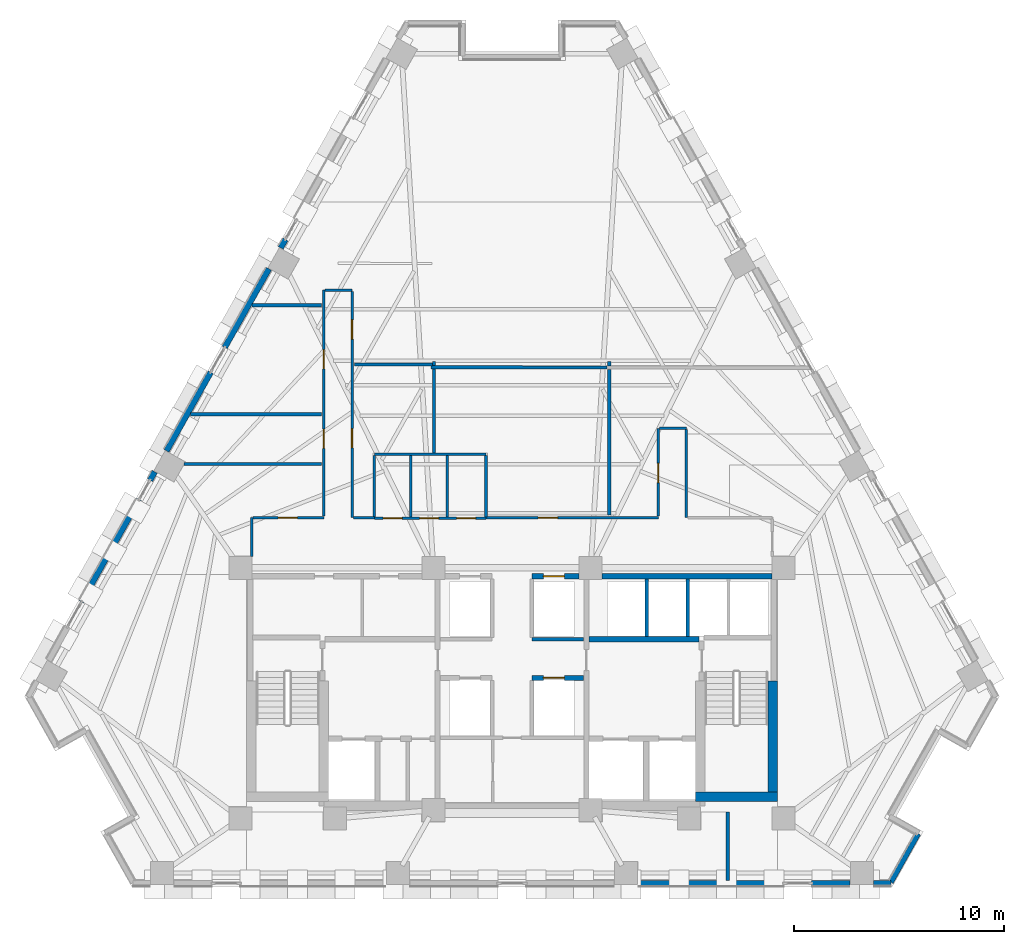
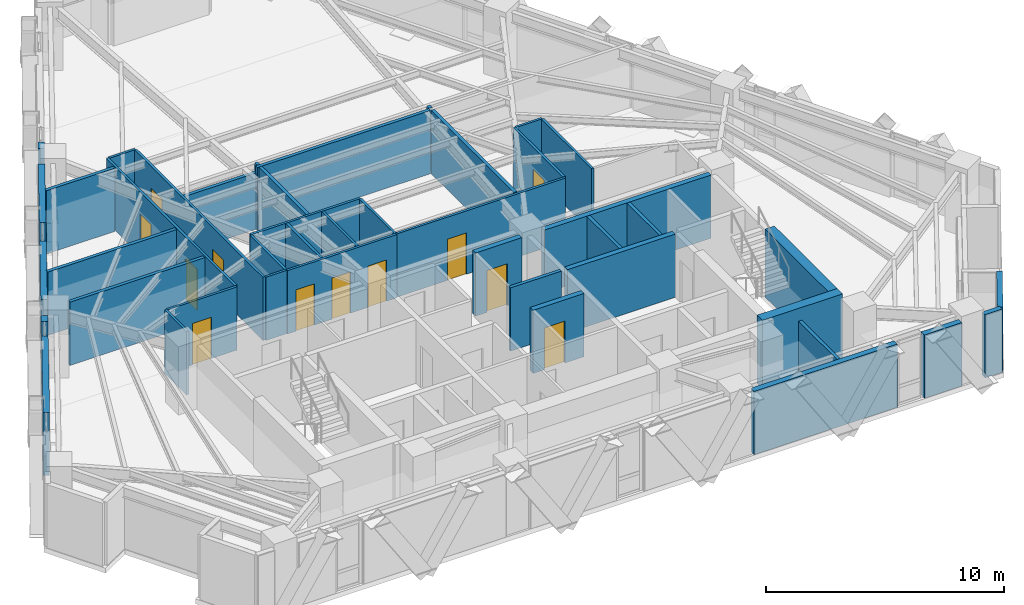
# One storey, part 8 of 13: 44 walls, 12 doors, 12 openings.
"""IFC4 building model written with IfcOpenShell, lengths in metres."""

import ifcopenshell
import ifcopenshell.guid

model = None  # the IFC model being written
_history = None  # IfcOwnerHistory: only IFC2X3 demands one
_inside = {}  # id of a spatial element -> (the spatial element, [elements in it])
_under = {}  # id of a project, library or spatial element -> (it, [spatial elements below it])
_declared = {}  # id of a project -> (the project, [libraries it declares])
_typed = {}  # id of a type object -> (the type object, [elements of that type])
_made_of = {}  # id of a material, layer set ... -> (it, [elements and type objects made of it])


def new_model(schema):
    """Start an empty IFC model of exactly this schema.

    Asked for "IFC4X3", IfcOpenShell would pick the latest addendum, in which some entities
    have other attributes; the version numbers below select the first issue.
    IFC2X3 requires an IfcOwnerHistory on every rooted entity: one is made here for all.
    """
    global model, _history
    if schema == "IFC4X3":
        model = ifcopenshell.file(schema_version=(4, 3, 0, 0))
    else:
        model = ifcopenshell.file(schema=schema)
    _inside.clear()
    _under.clear()
    _declared.clear()
    _typed.clear()
    _made_of.clear()
    _history = None
    if model.schema == "IFC2X3":
        org = make("IfcOrganization", Name="unknown")
        user = make(
            "IfcPersonAndOrganization",
            ThePerson=make("IfcPerson", FamilyName="unknown"),
            TheOrganization=org,
        )
        app = make(
            "IfcApplication",
            ApplicationDeveloper=org,
            Version="unknown",
            ApplicationFullName="unknown",
            ApplicationIdentifier="unknown",
        )
        _history = make(
            "IfcOwnerHistory",
            OwningUser=user,
            OwningApplication=app,
            ChangeAction="ADDED",
            CreationDate=0,
        )
    return model


def make(cls, **values):
    """One entity of the class cls with the attributes given. An attribute that is None is left unset."""
    return model.create_entity(
        cls, **{name: value for name, value in values.items() if value is not None}
    )


def rooted(cls, **values):
    """An entity with a GlobalId (a new one), such as an element, a storey or a relation."""
    return make(cls, GlobalId=ifcopenshell.guid.new(), OwnerHistory=_history, **values)


def si_unit(unit_type, name, prefix=None):
    """IfcSIUnit, for example si_unit("LENGTHUNIT", "METRE", prefix="MILLI")."""
    return make("IfcSIUnit", UnitType=unit_type, Prefix=prefix, Name=name)


def assignment(units):
    """IfcUnitAssignment: the units of a project."""
    return None if units is None else make("IfcUnitAssignment", Units=units)


def point(xyz):
    """IfcCartesianPoint."""
    return None if xyz is None else make("IfcCartesianPoint", Coordinates=xyz)


def direction(xyz):
    """IfcDirection."""
    return None if xyz is None else make("IfcDirection", DirectionRatios=xyz)


def frame(location, z_axis=None, x_axis=None):
    """IfcAxis2Placement3D, a coordinate frame: its origin and axes. An axis left out is left unset."""
    return make(
        "IfcAxis2Placement3D",
        Location=point(location),
        Axis=direction(z_axis),
        RefDirection=direction(x_axis),
    )


def frame_2d(location, x_axis=None):
    """IfcAxis2Placement2D, a coordinate frame in the plane: its origin and x axis."""
    return make(
        "IfcAxis2Placement2D", Location=point(location), RefDirection=direction(x_axis)
    )


def origin():
    """The frame at (0, 0, 0) with its axes left unset."""
    return frame((0.0, 0.0, 0.0))


def place(relative_to, where):
    """IfcLocalPlacement: puts the frame where relative to a parent placement (None: the world)."""
    return make(
        "IfcLocalPlacement", PlacementRelTo=relative_to, RelativePlacement=where
    )


def context(
    kind, dimensions, precision=None, world=None, true_north=None, identifier=None
):
    """IfcGeometricRepresentationContext, for example the 3D "Model" context."""
    return make(
        "IfcGeometricRepresentationContext",
        ContextIdentifier=identifier,
        ContextType=kind,
        CoordinateSpaceDimension=dimensions,
        Precision=precision,
        WorldCoordinateSystem=world,
        TrueNorth=true_north,
    )


def subcontext(parent, identifier, kind, view, scale=None):
    """IfcGeometricRepresentationSubContext, for example "Body" below "Model"."""
    return make(
        "IfcGeometricRepresentationSubContext",
        ContextIdentifier=identifier,
        ContextType=kind,
        ParentContext=parent,
        TargetScale=scale,
        TargetView=view,
    )


def project(units=None, contexts=None):
    """IfcProject with its units and contexts."""
    return rooted(
        "IfcProject",
        Name="project",
        RepresentationContexts=contexts,
        UnitsInContext=assignment(units),
    )


def spatial(cls, under=None, at=None, **own):
    """A site, building, storey or space (cls), placed at a placement, below another one or the project."""
    s = rooted(cls, ObjectPlacement=at, **own)
    if under is not None:
        _under.setdefault(under.id(), (under, []))[1].append(s)
    return s


def profile(cls, at=None, kind="AREA", **sizes):
    """A parametric profile (cls). Its sizes go by their IFC names, for example OverallWidth=200.0."""
    return make(cls, ProfileType=kind, Position=at, **sizes)


def rectangle(**sizes):
    """IfcRectangleProfileDef."""
    return profile("IfcRectangleProfileDef", **sizes)


def extrude(swept, where, along, depth):
    """IfcExtrudedAreaSolid: the profile swept, set in the frame where, extruded along a direction by depth."""
    return make(
        "IfcExtrudedAreaSolid",
        SweptArea=swept,
        Position=where,
        ExtrudedDirection=direction(along),
        Depth=depth,
    )


def shape(context_of_items, identifier, shape_type, items):
    """IfcShapeRepresentation: the items that make up one representation, for example the "Body"."""
    return make(
        "IfcShapeRepresentation",
        ContextOfItems=context_of_items,
        RepresentationIdentifier=identifier,
        RepresentationType=shape_type,
        Items=items,
    )


def material(Name=None, Category=None):
    """IfcMaterial."""
    return make("IfcMaterial", Name=Name, Category=Category)


def layer(
    of_material, thickness, ventilated=None, Name=None, Category=None, Priority=None
):
    """IfcMaterialLayer: one layer of a wall or slab, of a material (None: an air gap)."""
    return make(
        "IfcMaterialLayer",
        Material=of_material,
        LayerThickness=thickness,
        IsVentilated=ventilated,
        Name=Name,
        Category=Category,
        Priority=Priority,
    )


def layer_set(layers, Name=None):
    """IfcMaterialLayerSet."""
    return make("IfcMaterialLayerSet", MaterialLayers=layers, LayerSetName=Name)


def made_of(thing, what):
    """Note that an element or type object is made of a material, layer set ...; save() writes the relation."""
    if what is not None:
        _made_of.setdefault(what.id(), (what, []))[1].append(thing)
    return thing


def type_object(cls, material=None, **own):
    """A type object (cls), such as IfcWallType, which elements share."""
    return made_of(rooted(cls, **own), material)


def element(
    cls,
    number,
    at=None,
    inside=None,
    cuts=None,
    type_object=None,
    material=None,
    context=None,
    identifier="Body",
    shape_type=None,
    held_by="IfcProductDefinitionShape",
    body=None,
    shapes=None,
    **own,
):
    """One element of the class cls, such as IfcWall. Its Tag is "e" and its number.

    at: its placement. inside: the storey or other place that contains it. cuts: it is an
    opening in that element (IfcRelVoidsElement). A single representation is given by context,
    identifier, shape_type and body (its items); several are given by shapes. held_by: the class
    of the entity that holds the representations. save() writes the other relations.
    """
    e = rooted(cls, Tag="e%d" % number, ObjectPlacement=at, **own)
    if body is not None:
        shapes = [shape(context, identifier, shape_type, body)]
    if shapes is not None:
        e.Representation = make(held_by, Representations=shapes)
    if inside is not None:
        _inside.setdefault(inside.id(), (inside, []))[1].append(e)
    if cuts is not None:
        rooted(
            "IfcRelVoidsElement", RelatingBuildingElement=cuts, RelatedOpeningElement=e
        )
    if type_object is not None:
        _typed.setdefault(type_object.id(), (type_object, []))[1].append(e)
    return made_of(e, material)


def fill(opening, filler):
    """IfcRelFillsElement: the door or window that sits in an opening."""
    return rooted(
        "IfcRelFillsElement",
        RelatingOpeningElement=opening,
        RelatedBuildingElement=filler,
    )


def aggregate(whole, parts):
    """IfcRelAggregates: a whole, such as a stair, and the parts it consists of."""
    return rooted("IfcRelAggregates", RelatingObject=whole, RelatedObjects=parts)


def save(model, path):
    """Write the relations noted so far, then the file.

    IfcRelAggregates (storeys below a building ...), IfcRelContainedInSpatialStructure (elements
    in a storey), IfcRelDefinesByType, IfcRelAssociatesMaterial and IfcRelDeclares: one each for
    every whole, place, type object, material and project.
    """
    for whole, parts in _under.values():
        aggregate(whole, parts)
    for where, things in _inside.values():
        rooted(
            "IfcRelContainedInSpatialStructure",
            RelatedElements=things,
            RelatingStructure=where,
        )
    for kind, things in _typed.values():
        rooted("IfcRelDefinesByType", RelatedObjects=things, RelatingType=kind)
    for what, things in _made_of.values():
        rooted("IfcRelAssociatesMaterial", RelatedObjects=things, RelatingMaterial=what)
    for by, libraries in _declared.values():
        rooted("IfcRelDeclares", RelatingContext=by, RelatedDefinitions=libraries)
    model.write(path)


model = new_model("IFC4")

# Units and contexts
model_context = context("Model", 3, precision=1e-05, world=origin(), true_north=direction((0.0, 1.0)))
body_context = subcontext(model_context, "Body", "Model", "MODEL_VIEW")
ifc_project = project(units=[si_unit("LENGTHUNIT", "METRE"), si_unit("AREAUNIT", "SQUARE_METRE"), si_unit("VOLUMEUNIT", "CUBIC_METRE"), si_unit("PLANEANGLEUNIT", "RADIAN"), si_unit("MASSUNIT", "GRAM", prefix="KILO")], contexts=[model_context])

# Site, building, storey
site_placement = place(None, origin())
site = spatial("IfcSite", under=ifc_project, at=site_placement, CompositionType="ELEMENT")
building_placement = place(site_placement, origin())
building = spatial("IfcBuilding", under=site, at=building_placement, Name="Quenlor Broadcast Tower", CompositionType="ELEMENT")
storey_placement = place(building_placement, frame((0.0, 0.0, 119.5)))
storey = spatial("IfcBuildingStorey", under=building, at=storey_placement, Name="L32", CompositionType="ELEMENT", Elevation=119.5)

# Walls
ifc_material_1 = material(Name="Concrete C50/60", Category="concrete")
ifc_layer_1 = layer(ifc_material_1, 0.449951171875)
ifc_layer_set_1 = layer_set([ifc_layer_1], Name="Core Concrete C50/60 Shear Wall 450")
wall_type_1 = type_object("IfcWallType", Name="Core Concrete C50/60 Shear Wall 450", PredefinedType="SHEAR", material=ifc_layer_set_1)
wall_1_placement = place(storey_placement, frame((8.75, -15.72509765625, 0.0), z_axis=(0.0, 0.0, 1.0), x_axis=(1.0, 0.0, 0.0)))
element("IfcWall", 1, at=wall_1_placement, inside=storey, type_object=wall_type_1, Name="L32 Core Shear Wall WS-E2", PredefinedType="SHEAR", context=body_context, shape_type="SweptSolid", body=[
    extrude(rectangle(XDim=3.89990234375, YDim=0.449951171875, at=frame_2d((1.949951171875, 0.0))), origin(), (0.0, 0.0, 1.0), 3.5),
])
wall_2_placement = place(storey_placement, frame((12.425048828125, -15.72509765625, 0.0), z_axis=(0.0, 0.0, 1.0), x_axis=(0.0, 1.0, 0.0)))
element("IfcWall", 2, at=wall_2_placement, inside=storey, type_object=wall_type_1, Name="L32 Core Shear Wall WF-E", PredefinedType="SHEAR", context=body_context, shape_type="SweptSolid", body=[
    extrude(rectangle(XDim=5.525146484375, YDim=0.449951171875, at=frame_2d((2.7626953125, 0.0))), origin(), (0.0, 0.0, 1.0), 3.5),
])
ifc_material_2 = material(Name="Concrete C40/50", Category="concrete")
ifc_layer_2 = layer(ifc_material_2, 0.25)
ifc_layer_set_2 = layer_set([ifc_layer_2], Name="Fire Rated Concrete C40/50 Core Wall 250")
wall_type_2 = type_object("IfcWallType", Name="Fire Rated Concrete C40/50 Core Wall 250", PredefinedType="PARTITIONING", material=ifc_layer_set_2)
wall_3_placement = place(storey_placement, frame((3.679931640625, -8.199951171875, 0.0), z_axis=(0.0, 0.0, 1.0), x_axis=(1.0, 0.0, 0.0)))
element("IfcWall", 3, at=wall_3_placement, inside=storey, type_object=wall_type_2, Name="L32 Interior Wall CW-FFE-N", PredefinedType="PARTITIONING", context=body_context, shape_type="SweptSolid", body=[
    extrude(rectangle(XDim=5.239990234375, YDim=0.25, at=frame_2d((2.6201171875, 0.0))), origin(), (0.0, 0.0, 1.0), 3.25),
])
wall_4_placement = place(storey_placement, frame((4.302001953125, -5.199951171875, 0.0), z_axis=(0.0, 0.0, 1.0), x_axis=(1.0, 0.0, 0.0)))
element("IfcWall", 4, at=wall_4_placement, inside=storey, type_object=wall_type_2, Name="L32 Interior Wall CW-N-E", PredefinedType="PARTITIONING", context=body_context, shape_type="SweptSolid", body=[
    extrude(rectangle(XDim=8.095947265625, YDim=0.25, at=frame_2d((4.0478515625, 0.0))), origin(), (0.0, 0.0, 1.0), 3.25),
])

# Wall, opening, door
wall_5_placement = place(storey_placement, frame((0.949951171875, -5.199951171875, 0.0), z_axis=(0.0, 0.0, 1.0), x_axis=(1.0, 0.0, 0.0)))
wall_5 = element("IfcWall", 5, at=wall_5_placement, inside=storey, type_object=wall_type_2, Name="L32 Interior Wall CW-N-M2", PredefinedType="PARTITIONING", context=body_context, shape_type="SweptSolid", body=[
    extrude(rectangle(XDim=2.248046875, YDim=0.25, at=frame_2d((1.1240234375, 0.0))), origin(), (0.0, 0.0, 1.0), 3.25),
])
opening_1_placement = place(wall_5_placement, frame((0.550048828125, 0.0, 0.0)))
opening_1 = element("IfcOpeningElement", 6, at=opening_1_placement, cuts=wall_5, Name="Opening LD-PL-M2", PredefinedType="OPENING", context=body_context, shape_type="SweptSolid", body=[
    extrude(rectangle(XDim=1.0, YDim=2.14990234375, at=frame_2d((0.5, 1.074951171875))), frame((0.0, 0.135009765625, 0.0), z_axis=(0.0, -1.0, 0.0), x_axis=(1.0, 0.0, 0.0)), (0.0, 0.0, 1.0), 0.27001953125),
])
ifc_material_3 = material(Name="Brushed Stainless Steel", Category="steel")
door_type_1 = type_object("IfcDoorType", Name="Passenger Lift Sliding Landing Door 1000x2150", OperationType="NOTDEFINED", PredefinedType="DOOR", material=ifc_material_3)
door_1_placement = place(opening_1_placement, origin())
door_1 = element("IfcDoor", 7, at=door_1_placement, inside=storey, type_object=door_type_1, Name="L32 Door LD-PL-M2", OperationType="SLIDING_TO_RIGHT", OverallHeight=2.14990234375, OverallWidth=1.0, PredefinedType="DOOR", context=body_context, shape_type="SweptSolid", body=[
    extrude(rectangle(XDim=1.0, YDim=2.14990234375, at=frame_2d((0.5, 1.074951171875))), frame((0.0, 0.02490234375, 0.0), z_axis=(0.0, -1.0, 0.0), x_axis=(1.0, 0.0, 0.0)), (0.0, 0.0, 1.0), 0.050048828125),
])
fill(opening_1, door_1)

wall_6_placement = place(storey_placement, frame((0.949951171875, -10.050048828125, 0.0), z_axis=(0.0, 0.0, 1.0), x_axis=(1.0, 0.0, 0.0)))
wall_6 = element("IfcWall", 8, at=wall_6_placement, inside=storey, type_object=wall_type_2, Name="L32 Interior Wall CW-MS-N2", PredefinedType="PARTITIONING", context=body_context, shape_type="SweptSolid", body=[
    extrude(rectangle(XDim=2.469970703125, YDim=0.25, at=frame_2d((1.23486328125, 0.0))), origin(), (0.0, 0.0, 1.0), 3.25),
])
opening_2_placement = place(wall_6_placement, frame((0.550048828125, 0.0, 0.0)))
opening_2 = element("IfcOpeningElement", 9, at=opening_2_placement, cuts=wall_6, Name="Opening LD-PL-M4", PredefinedType="OPENING", context=body_context, shape_type="SweptSolid", body=[
    extrude(rectangle(XDim=1.0, YDim=2.14990234375, at=frame_2d((0.5, 1.074951171875))), frame((0.0, 0.135009765625, 0.0), z_axis=(0.0, -1.0, 0.0), x_axis=(1.0, 0.0, 0.0)), (0.0, 0.0, 1.0), 0.27001953125),
])
door_2_placement = place(opening_2_placement, origin())
door_2 = element("IfcDoor", 10, at=door_2_placement, inside=storey, type_object=door_type_1, Name="L32 Door LD-PL-M4", OperationType="SLIDING_TO_RIGHT", OverallHeight=2.14990234375, OverallWidth=1.0, PredefinedType="DOOR", context=body_context, shape_type="SweptSolid", body=[
    extrude(rectangle(XDim=1.0, YDim=2.14990234375, at=frame_2d((0.5, 1.074951171875))), frame((0.0, 0.02490234375, 0.0), z_axis=(0.0, -1.0, 0.0), x_axis=(1.0, 0.0, 0.0)), (0.0, 0.0, 1.0), 0.050048828125),
])
fill(opening_2, door_2)

# Walls
ifc_material_4 = material(Name="Gypsum Fireboard Partition", Category="other")
ifc_layer_3 = layer(ifc_material_4, 0.159912109375)
ifc_layer_set_3 = layer_set([ifc_layer_3], Name="Fire Rated Shaft and Corridor Partition 160")
wall_type_3 = type_object("IfcWallType", Name="Fire Rated Shaft and Corridor Partition 160", PredefinedType="PARTITIONING", material=ifc_layer_set_3)
for number, where, z_axis, x_axis, name in (
    (11, (6.425048828125, -8.072998046875, 0.0), (0.0, 0.0, 1.0), (0.0, 1.0, 0.0), "L32 Interior Wall CW-PLH-D1"),
    (12, (8.375, -8.072998046875, 0.0), (0.0, 0.0, 1.0), (0.0, 1.0, 0.0), "L32 Interior Wall CW-PLH-D2"),
):
    element("IfcWall", number, at=place(storey_placement, frame(where, z_axis=z_axis, x_axis=x_axis)), inside=storey, type_object=wall_type_3, Name=name, PredefinedType="PARTITIONING", context=body_context, shape_type="SweptSolid", body=[
        extrude(rectangle(XDim=2.73291015625, YDim=0.159912109375, at=frame_2d((1.366455078125, 0.0))), origin(), (0.0, 0.0, 1.0), 3.25),
    ])
wall_7_placement = place(storey_placement, frame((0.949951171875, -8.199951171875, 0.0), z_axis=(0.0, 0.0, 1.0), x_axis=(1.0, 0.0, 0.0)))
element("IfcWall", 13, at=wall_7_placement, inside=storey, type_object=wall_type_3, Name="L32 Interior Wall CW-M-BACK2", PredefinedType="PARTITIONING", context=body_context, shape_type="SweptSolid", body=[
    extrude(rectangle(XDim=2.469970703125, YDim=0.159912109375, at=frame_2d((1.23486328125, 0.0))), origin(), (0.0, 0.0, 1.0), 3.25),
])
wall_8_placement = place(storey_placement, frame((-9.080078125, 7.72998046875, 0.0), z_axis=(0.0, 0.0, 1.0), x_axis=(-1.0, 0.0, 0.0)))
element("IfcWall", 14, at=wall_8_placement, inside=storey, type_object=wall_type_3, Name="L32 Interior Wall PW-DV-01", PredefinedType="PARTITIONING", context=body_context, shape_type="SweptSolid", body=[
    extrude(rectangle(XDim=3.3251953125, YDim=0.159912109375, at=frame_2d((1.66259765625, 0.0))), origin(), (0.0, 0.0, 1.0), 3.25),
])
wall_9_placement = place(storey_placement, frame((-3.79541015625, 4.89990234375, 0.0), z_axis=(0.0, 0.0, 1.0), x_axis=(-1.0, 0.0, 0.0)))
element("IfcWall", 15, at=wall_9_placement, inside=storey, type_object=wall_type_3, Name="L32 Interior Wall PW-DV-03", PredefinedType="PARTITIONING", context=body_context, shape_type="SweptSolid", body=[
    extrude(rectangle(XDim=3.724609375, YDim=0.159912109375, at=frame_2d((1.8623046875, 0.0))), origin(), (0.0, 0.0, 1.0), 2.891357421875),
])
wall_10_placement = place(storey_placement, frame((4.5380859375, 4.75390625, 0.0), z_axis=(0.0, 0.0, 1.0), x_axis=(-0.999999181944, 0.001279105904, 0.0)))
element("IfcWall", 16, at=wall_10_placement, inside=storey, type_object=wall_type_3, Name="L32 Interior Wall PW-DV-04", PredefinedType="PARTITIONING", context=body_context, shape_type="SweptSolid", body=[
    extrude(rectangle(XDim=8.398193359375, YDim=0.159912109375, at=frame_2d((4.19921875, 0.0))), origin(), (0.0, 0.0, 1.0), 3.25),
])
wall_11_placement = place(storey_placement, frame((-9.080078125, 2.530029296875, 0.0), z_axis=(0.0, 0.0, 1.0), x_axis=(-1.0, 0.0, 0.0)))
element("IfcWall", 17, at=wall_11_placement, inside=storey, type_object=wall_type_3, Name="L32 Interior Wall PW-DV-05", PredefinedType="PARTITIONING", context=body_context, shape_type="SweptSolid", body=[
    extrude(rectangle(XDim=6.250244140625, YDim=0.159912109375, at=frame_2d((3.125, 0.0))), origin(), (0.0, 0.0, 1.0), 3.25),
])
wall_12_placement = place(storey_placement, frame((4.639892578125, -2.2900390625, 0.0), z_axis=(0.0, 0.0, 1.0), x_axis=(0.0, 1.0, 0.0)))
element("IfcWall", 18, at=wall_12_placement, inside=storey, type_object=wall_type_3, Name="L32 Interior Wall PW-DV-06", PredefinedType="PARTITIONING", context=body_context, shape_type="SweptSolid", body=[
    extrude(rectangle(XDim=6.961669921875, YDim=0.159912109375, at=frame_2d((3.48095703125, 0.0))), origin(), (0.0, 0.0, 1.0), 3.25),
])
wall_13_placement = place(storey_placement, frame((4.639892578125, 4.835693359375, 0.0), z_axis=(0.0, 0.0, 1.0), x_axis=(0.0, 1.0, 0.0)))
element("IfcWall", 19, at=wall_13_placement, inside=storey, type_object=wall_type_3, Name="L32 Interior Wall PW-DV-06S2", PredefinedType="PARTITIONING", context=body_context, shape_type="SweptSolid", body=[
    extrude(rectangle(XDim=0.204345703125, YDim=0.159912109375, at=frame_2d((0.10205078125, 0.0))), origin(), (0.0, 0.0, 1.0), 3.25),
])
wall_14_placement = place(storey_placement, frame((-3.719970703125, 5.0400390625, 0.0), z_axis=(0.0, 0.0, 1.0), x_axis=(0.0, -1.0, 0.0)))
element("IfcWall", 20, at=wall_14_placement, inside=storey, type_object=wall_type_3, Name="L32 Interior Wall PW-DV-07", PredefinedType="PARTITIONING", context=body_context, shape_type="SweptSolid", body=[
    extrude(rectangle(XDim=0.193603515625, YDim=0.159912109375, at=frame_2d((0.0966796875, 0.0))), origin(), (0.0, 0.0, 1.0), 3.25),
])
wall_15_placement = place(storey_placement, frame((-3.719970703125, 4.6826171875, 0.0), z_axis=(0.0, 0.0, 1.0), x_axis=(0.0, -1.0, 0.0)))
element("IfcWall", 21, at=wall_15_placement, inside=storey, type_object=wall_type_3, Name="L32 Interior Wall PW-DV-07S2", PredefinedType="PARTITIONING", context=body_context, shape_type="SweptSolid", body=[
    extrude(rectangle(XDim=4.0126953125, YDim=0.159912109375, at=frame_2d((2.00634765625, 0.0))), origin(), (0.0, 0.0, 1.0), 3.25),
])
wall_16_placement = place(storey_placement, frame((-9.080078125, 0.15478515625, 0.0), z_axis=(0.0, 0.0, 1.0), x_axis=(-1.0, 0.0, 0.0)))
element("IfcWall", 22, at=wall_16_placement, inside=storey, type_object=wall_type_3, Name="L32 Interior Wall PW-DV-08", PredefinedType="PARTITIONING", context=body_context, shape_type="SweptSolid", body=[
    extrude(rectangle(XDim=6.5537109375, YDim=0.159912109375, at=frame_2d((3.27685546875, 0.0))), origin(), (0.0, 0.0, 1.0), 3.25),
])
wall_17_placement = place(storey_placement, frame((10.294921875, -19.697998046875, 0.0), z_axis=(0.0, 0.0, 1.0), x_axis=(0.0, 1.0, 0.0)))
element("IfcWall", 23, at=wall_17_placement, inside=storey, type_object=wall_type_3, Name="L32 Interior Wall PW-DV-09", PredefinedType="PARTITIONING", context=body_context, shape_type="SweptSolid", body=[
    extrude(rectangle(XDim=3.248046875, YDim=0.159912109375, at=frame_2d((1.6240234375, 0.0))), origin(), (0.0, 0.0, 1.0), 3.25),
])

# Wall, openings, doors
ifc_material_5 = material(Name="Gypsum Plasterboard Partition", Category="other")
ifc_layer_4 = layer(ifc_material_5, 0.1201171875)
ifc_layer_set_4 = layer_set([ifc_layer_4], Name="Standard Office Partition 120")
wall_type_4 = type_object("IfcWallType", Name="Standard Office Partition 120", PredefinedType="PARTITIONING", material=ifc_layer_set_4)
wall_18_placement = place(storey_placement, frame((-6.56005859375, -2.43994140625, 0.0), z_axis=(0.0, 0.0, 1.0), x_axis=(1.0, 0.0, 0.0)))
wall_18 = element("IfcWall", 24, at=wall_18_placement, inside=storey, type_object=wall_type_4, Name="L32 Interior Wall PW-WC-S", PredefinedType="PARTITIONING", context=body_context, shape_type="SweptSolid", body=[
    extrude(rectangle(XDim=5.320068359375, YDim=0.1201171875, at=frame_2d((2.66015625, 0.0))), origin(), (0.0, 0.0, 1.0), 3.25),
])
opening_3_placement = place(wall_18_placement, frame((0.419921875, 0.0, 0.0)))
opening_3 = element("IfcOpeningElement", 25, at=opening_3_placement, cuts=wall_18, Name="Opening ID-3", PredefinedType="OPENING", context=body_context, shape_type="SweptSolid", body=[
    extrude(rectangle(XDim=0.89990234375, YDim=2.1201171875, at=frame_2d((0.449951171875, 1.06005859375))), frame((0.0, 0.070068359375, 0.0), z_axis=(0.0, -1.0, 0.0), x_axis=(1.0, 0.0, 0.0)), (0.0, 0.0, 1.0), 0.14013671875),
])
opening_4_placement = place(wall_18_placement, frame((2.159912109375, 0.0, 0.0)))
opening_4 = element("IfcOpeningElement", 26, at=opening_4_placement, cuts=wall_18, Name="Opening ID-3", PredefinedType="OPENING", context=body_context, shape_type="SweptSolid", body=[
    extrude(rectangle(XDim=0.89990234375, YDim=2.1201171875, at=frame_2d((0.449951171875, 1.06005859375))), frame((0.0, 0.070068359375, 0.0), z_axis=(0.0, -1.0, 0.0), x_axis=(1.0, 0.0, 0.0)), (0.0, 0.0, 1.0), 0.14013671875),
])
opening_5_placement = place(wall_18_placement, frame((3.919921875, 0.0, 0.0)))
opening_5 = element("IfcOpeningElement", 27, at=opening_5_placement, cuts=wall_18, Name="Opening ID-3", PredefinedType="OPENING", context=body_context, shape_type="SweptSolid", body=[
    extrude(rectangle(XDim=0.89990234375, YDim=2.1201171875, at=frame_2d((0.449951171875, 1.06005859375))), frame((0.0, 0.070068359375, 0.0), z_axis=(0.0, -1.0, 0.0), x_axis=(1.0, 0.0, 0.0)), (0.0, 0.0, 1.0), 0.14013671875),
])
ifc_material_6 = material(Name="Moisture Resistant Timber Oak", Category="wood")
door_type_2 = type_object("IfcDoorType", Name="Washroom Privacy Door 900x2120", OperationType="NOTDEFINED", PredefinedType="DOOR", material=ifc_material_6)
door_3_placement = place(opening_3_placement, origin())
door_3 = element("IfcDoor", 28, at=door_3_placement, inside=storey, type_object=door_type_2, Name="L32 Door DR-FWC", OperationType="SINGLE_SWING_LEFT", OverallHeight=2.1201171875, OverallWidth=0.89990234375, PredefinedType="DOOR", context=body_context, shape_type="SweptSolid", body=[
    extrude(rectangle(XDim=0.89990234375, YDim=2.1201171875, at=frame_2d((0.449951171875, 1.06005859375))), frame((0.0, 0.02490234375, 0.0), z_axis=(0.0, -1.0, 0.0), x_axis=(1.0, 0.0, 0.0)), (0.0, 0.0, 1.0), 0.050048828125),
])
fill(opening_3, door_3)
door_4_placement = place(opening_4_placement, origin())
door_4 = element("IfcDoor", 29, at=door_4_placement, inside=storey, type_object=door_type_2, Name="L32 Door DR-MWC", OperationType="SINGLE_SWING_RIGHT", OverallHeight=2.1201171875, OverallWidth=0.89990234375, PredefinedType="DOOR", context=body_context, shape_type="SweptSolid", body=[
    extrude(rectangle(XDim=0.89990234375, YDim=2.1201171875, at=frame_2d((0.449951171875, 1.06005859375))), frame((0.0, 0.02490234375, 0.0), z_axis=(0.0, -1.0, 0.0), x_axis=(1.0, 0.0, 0.0)), (0.0, 0.0, 1.0), 0.050048828125),
])
fill(opening_4, door_4)
door_5_placement = place(opening_5_placement, origin())
door_5 = element("IfcDoor", 30, at=door_5_placement, inside=storey, type_object=door_type_2, Name="L32 Door DR-AWC", OperationType="SINGLE_SWING_RIGHT", OverallHeight=2.1201171875, OverallWidth=0.89990234375, PredefinedType="DOOR", context=body_context, shape_type="SweptSolid", body=[
    extrude(rectangle(XDim=0.89990234375, YDim=2.1201171875, at=frame_2d((0.449951171875, 1.06005859375))), frame((0.0, 0.02490234375, 0.0), z_axis=(0.0, -1.0, 0.0), x_axis=(1.0, 0.0, 0.0)), (0.0, 0.0, 1.0), 0.050048828125),
])
fill(opening_5, door_5)

# Walls
wall_19_placement = place(storey_placement, frame((-6.56005859375, 0.610107421875, 0.0), z_axis=(0.0, 0.0, 1.0), x_axis=(1.0, 0.0, 0.0)))
element("IfcWall", 31, at=wall_19_placement, inside=storey, type_object=wall_type_4, Name="L32 Interior Wall PW-WC-N", PredefinedType="PARTITIONING", context=body_context, shape_type="SweptSolid", body=[
    extrude(rectangle(XDim=5.320068359375, YDim=0.1201171875, at=frame_2d((2.66015625, 0.0))), origin(), (0.0, 0.0, 1.0), 3.25),
])
for number, where, z_axis, x_axis, name in (
    (32, (-6.56005859375, -2.3779296875, 0.0), (0.0, 0.0, 1.0), (0.0, 1.0, 0.0), "L32 Interior Wall PW-WC-W"),
    (33, (-4.820068359375, -2.3779296875, 0.0), (0.0, 0.0, 1.0), (0.0, 1.0, 0.0), "L32 Interior Wall PW-WC-M1"),
    (34, (-3.080078125, -2.3779296875, 0.0), (0.0, 0.0, 1.0), (0.0, 1.0, 0.0), "L32 Interior Wall PW-WC-M2"),
    (35, (-1.239990234375, -2.3779296875, 0.0), (0.0, 0.0, 1.0), (0.0, 1.0, 0.0), "L32 Interior Wall PW-WC-E"),
):
    element("IfcWall", number, at=place(storey_placement, frame(where, z_axis=z_axis, x_axis=x_axis)), inside=storey, type_object=wall_type_4, Name=name, PredefinedType="PARTITIONING", context=body_context, shape_type="SweptSolid", body=[
        extrude(rectangle(XDim=2.926025390625, YDim=0.1201171875, at=frame_2d((1.462890625, 0.0))), origin(), (0.0, 0.0, 1.0), 3.25),
    ])
wall_20_placement = place(storey_placement, frame((-12.409912109375, -4.248046875, 0.0), z_axis=(0.0, 0.0, 1.0), x_axis=(0.0, 1.0, 0.0)))
element("IfcWall", 36, at=wall_20_placement, inside=storey, type_object=wall_type_4, Name="L32 Interior Wall PW-CR-01", PredefinedType="PARTITIONING", context=body_context, shape_type="SweptSolid", body=[
    extrude(rectangle(XDim=1.84814453125, YDim=0.1201171875, at=frame_2d((0.924072265625, 0.0))), origin(), (0.0, 0.0, 1.0), 3.25),
])

# Wall, opening, door
wall_21_placement = place(storey_placement, frame((-12.347900390625, -2.39990234375, 0.0), z_axis=(0.0, 0.0, 1.0), x_axis=(1.0, 0.0, 0.0)))
wall_21 = element("IfcWall", 37, at=wall_21_placement, inside=storey, type_object=wall_type_4, Name="L32 Interior Wall PW-CR-02", PredefinedType="PARTITIONING", context=body_context, shape_type="SweptSolid", body=[
    extrude(rectangle(XDim=3.3779296875, YDim=0.1201171875, at=frame_2d((1.68896484375, 0.0))), origin(), (0.0, 0.0, 1.0), 3.25),
])
opening_6_placement = place(wall_21_placement, frame((1.197998046875, 0.0, 0.0)))
opening_6 = element("IfcOpeningElement", 38, at=opening_6_placement, cuts=wall_21, Name="Opening ID-1", PredefinedType="OPENING", context=body_context, shape_type="SweptSolid", body=[
    extrude(rectangle(XDim=0.919921875, YDim=2.1201171875, at=frame_2d((0.4599609375, 1.06005859375))), frame((0.0, 0.070068359375, 0.0), z_axis=(0.0, -1.0, 0.0), x_axis=(1.0, 0.0, 0.0)), (0.0, 0.0, 1.0), 0.14013671875),
])
ifc_material_7 = material(Name="Solid Core Timber Oak", Category="wood")
door_type_3 = type_object("IfcDoorType", Name="Single Leaf Timber Office Door 920x2120", OperationType="NOTDEFINED", PredefinedType="DOOR", material=ifc_material_7)
door_6_placement = place(opening_6_placement, origin())
door_6 = element("IfcDoor", 39, at=door_6_placement, inside=storey, type_object=door_type_3, Name="L32 Door DR-RM08", OperationType="SINGLE_SWING_RIGHT", OverallHeight=2.1201171875, OverallWidth=0.919921875, PredefinedType="DOOR", context=body_context, shape_type="SweptSolid", body=[
    extrude(rectangle(XDim=0.919921875, YDim=2.1201171875, at=frame_2d((0.4599609375, 1.06005859375))), frame((0.0, 0.02490234375, 0.0), z_axis=(0.0, -1.0, 0.0), x_axis=(1.0, 0.0, 0.0)), (0.0, 0.0, 1.0), 0.050048828125),
])
fill(opening_6, door_6)

# Wall, openings, doors
wall_22_placement = place(storey_placement, frame((-8.969970703125, -2.337890625, 0.0), z_axis=(0.0, 0.0, 1.0), x_axis=(0.0, 1.0, 0.0)))
wall_22 = element("IfcWall", 40, at=wall_22_placement, inside=storey, type_object=wall_type_4, Name="L32 Interior Wall PW-CR-03", PredefinedType="PARTITIONING", context=body_context, shape_type="SweptSolid", body=[
    extrude(rectangle(XDim=10.787841796875, YDim=0.1201171875, at=frame_2d((5.39404296875, 0.0))), origin(), (0.0, 0.0, 1.0), 3.25),
])
opening_7_placement = place(wall_22_placement, frame((7.028076171875, 0.0, 0.0)))
opening_7 = element("IfcOpeningElement", 41, at=opening_7_placement, cuts=wall_22, Name="Opening ID-1", PredefinedType="OPENING", context=body_context, shape_type="SweptSolid", body=[
    extrude(rectangle(XDim=0.919921875, YDim=2.1201171875, at=frame_2d((0.4599609375, 1.06005859375))), frame((0.0, 0.070068359375, 0.0), z_axis=(0.0, -1.0, 0.0), x_axis=(1.0, 0.0, 0.0)), (0.0, 0.0, 1.0), 0.14013671875),
])
opening_8_placement = place(wall_22_placement, frame((3.239990234375, 0.0, 0.0)))
opening_8 = element("IfcOpeningElement", 42, at=opening_8_placement, cuts=wall_22, Name="Opening ID-1", PredefinedType="OPENING", context=body_context, shape_type="SweptSolid", body=[
    extrude(rectangle(XDim=0.919921875, YDim=2.1201171875, at=frame_2d((0.4599609375, 1.06005859375))), frame((0.0, 0.070068359375, 0.0), z_axis=(0.0, -1.0, 0.0), x_axis=(1.0, 0.0, 0.0)), (0.0, 0.0, 1.0), 0.14013671875),
])
door_7_placement = place(opening_7_placement, origin())
door_7 = element("IfcDoor", 43, at=door_7_placement, inside=storey, type_object=door_type_3, Name="L32 Door DR-RM02", OperationType="SINGLE_SWING_RIGHT", OverallHeight=2.1201171875, OverallWidth=0.919921875, PredefinedType="DOOR", context=body_context, shape_type="SweptSolid", body=[
    extrude(rectangle(XDim=0.919921875, YDim=2.1201171875, at=frame_2d((0.4599609375, 1.06005859375))), frame((0.0, 0.02490234375, 0.0), z_axis=(0.0, -1.0, 0.0), x_axis=(1.0, 0.0, 0.0)), (0.0, 0.0, 1.0), 0.050048828125),
])
fill(opening_7, door_7)
door_8_placement = place(opening_8_placement, origin())
door_8 = element("IfcDoor", 44, at=door_8_placement, inside=storey, type_object=door_type_3, Name="L32 Door DR-RM06", OperationType="SINGLE_SWING_RIGHT", OverallHeight=2.1201171875, OverallWidth=0.919921875, PredefinedType="DOOR", context=body_context, shape_type="SweptSolid", body=[
    extrude(rectangle(XDim=0.919921875, YDim=2.1201171875, at=frame_2d((0.4599609375, 1.06005859375))), frame((0.0, 0.02490234375, 0.0), z_axis=(0.0, -1.0, 0.0), x_axis=(1.0, 0.0, 0.0)), (0.0, 0.0, 1.0), 0.050048828125),
])
fill(opening_8, door_8)

# Wall
wall_23_placement = place(storey_placement, frame((-8.907958984375, 8.449951171875, 0.0), z_axis=(0.0, 0.0, 1.0), x_axis=(1.0, 0.0, 0.0)))
element("IfcWall", 45, at=wall_23_placement, inside=storey, type_object=wall_type_4, Name="L32 Interior Wall PW-CR-04", PredefinedType="PARTITIONING", context=body_context, shape_type="SweptSolid", body=[
    extrude(rectangle(XDim=1.278076171875, YDim=0.1201171875, at=frame_2d((0.63916015625, 0.0))), origin(), (0.0, 0.0, 1.0), 3.25),
])

# Wall, openings, doors
wall_24_placement = place(storey_placement, frame((-7.6298828125, 8.387939453125, 0.0), z_axis=(0.0, 0.0, 1.0), x_axis=(0.0, -1.0, 0.0)))
wall_24 = element("IfcWall", 46, at=wall_24_placement, inside=storey, type_object=wall_type_4, Name="L32 Interior Wall PW-CR-05", PredefinedType="PARTITIONING", context=body_context, shape_type="SweptSolid", body=[
    extrude(rectangle(XDim=10.787841796875, YDim=0.1201171875, at=frame_2d((5.39404296875, 0.0))), origin(), (0.0, 0.0, 1.0), 3.25),
])
opening_9_placement = place(wall_24_placement, frame((1.362060546875, 0.0, 0.0)))
opening_9 = element("IfcOpeningElement", 47, at=opening_9_placement, cuts=wall_24, Name="Opening ID-1", PredefinedType="OPENING", context=body_context, shape_type="SweptSolid", body=[
    extrude(rectangle(XDim=0.919921875, YDim=2.1201171875, at=frame_2d((0.4599609375, 1.06005859375))), frame((0.0, 0.070068359375, 0.0), z_axis=(0.0, -1.0, 0.0), x_axis=(1.0, 0.0, 0.0)), (0.0, 0.0, 1.0), 0.14013671875),
])
opening_10_placement = place(wall_24_placement, frame((6.549072265625, 0.0, 0.0)))
opening_10 = element("IfcOpeningElement", 48, at=opening_10_placement, cuts=wall_24, Name="Opening ID-1", PredefinedType="OPENING", context=body_context, shape_type="SweptSolid", body=[
    extrude(rectangle(XDim=0.919921875, YDim=2.1201171875, at=frame_2d((0.4599609375, 1.06005859375))), frame((0.0, 0.070068359375, 0.0), z_axis=(0.0, -1.0, 0.0), x_axis=(1.0, 0.0, 0.0)), (0.0, 0.0, 1.0), 0.14013671875),
])
door_9_placement = place(opening_9_placement, origin())
door_9 = element("IfcDoor", 49, at=door_9_placement, inside=storey, type_object=door_type_3, Name="L32 Door DR-RM01", OperationType="SINGLE_SWING_LEFT", OverallHeight=2.1201171875, OverallWidth=0.919921875, PredefinedType="DOOR", context=body_context, shape_type="SweptSolid", body=[
    extrude(rectangle(XDim=0.919921875, YDim=2.1201171875, at=frame_2d((0.4599609375, 1.06005859375))), frame((0.0, 0.02490234375, 0.0), z_axis=(0.0, -1.0, 0.0), x_axis=(1.0, 0.0, 0.0)), (0.0, 0.0, 1.0), 0.050048828125),
])
fill(opening_9, door_9)
door_10_placement = place(opening_10_placement, origin())
door_10 = element("IfcDoor", 50, at=door_10_placement, inside=storey, type_object=door_type_3, Name="L32 Door DR-RM04", OperationType="SINGLE_SWING_RIGHT", OverallHeight=2.1201171875, OverallWidth=0.919921875, PredefinedType="DOOR", context=body_context, shape_type="SweptSolid", body=[
    extrude(rectangle(XDim=0.919921875, YDim=2.1201171875, at=frame_2d((0.4599609375, 1.06005859375))), frame((0.0, 0.02490234375, 0.0), z_axis=(0.0, -1.0, 0.0), x_axis=(1.0, 0.0, 0.0)), (0.0, 0.0, 1.0), 0.050048828125),
])
fill(opening_10, door_10)

# Wall
wall_25_placement = place(storey_placement, frame((-7.568115234375, -2.39990234375, 0.0), z_axis=(0.0, 0.0, 1.0), x_axis=(1.0, 0.0, 0.0)))
element("IfcWall", 51, at=wall_25_placement, inside=storey, type_object=wall_type_4, Name="L32 Interior Wall PW-CR-06", PredefinedType="PARTITIONING", context=body_context, shape_type="SweptSolid", body=[
    extrude(rectangle(XDim=1.006103515625, YDim=0.1201171875, at=frame_2d((0.5029296875, 0.0))), origin(), (0.0, 0.0, 1.0), 3.25),
])

# Wall, opening, door
wall_26_placement = place(storey_placement, frame((-1.238037109375, -2.39990234375, 0.0), z_axis=(0.0, 0.0, 1.0), x_axis=(1.0, 0.0, 0.0)))
wall_26 = element("IfcWall", 52, at=wall_26_placement, inside=storey, type_object=wall_type_4, Name="L32 Interior Wall PW-CR-06S2", PredefinedType="PARTITIONING", context=body_context, shape_type="SweptSolid", body=[
    extrude(rectangle(XDim=8.218017578125, YDim=0.1201171875, at=frame_2d((4.10888671875, 0.0))), origin(), (0.0, 0.0, 1.0), 3.25),
])
opening_11_placement = place(wall_26_placement, frame((2.488037109375, 0.0, 0.0)))
opening_11 = element("IfcOpeningElement", 53, at=opening_11_placement, cuts=wall_26, Name="Opening ID-1", PredefinedType="OPENING", context=body_context, shape_type="SweptSolid", body=[
    extrude(rectangle(XDim=0.919921875, YDim=2.1201171875, at=frame_2d((0.4599609375, 1.06005859375))), frame((0.0, 0.070068359375, 0.0), z_axis=(0.0, -1.0, 0.0), x_axis=(1.0, 0.0, 0.0)), (0.0, 0.0, 1.0), 0.14013671875),
])
door_11_placement = place(opening_11_placement, origin())
door_11 = element("IfcDoor", 54, at=door_11_placement, inside=storey, type_object=door_type_3, Name="L32 Door DR-RM05", OperationType="SINGLE_SWING_LEFT", OverallHeight=2.1201171875, OverallWidth=0.919921875, PredefinedType="DOOR", context=body_context, shape_type="SweptSolid", body=[
    extrude(rectangle(XDim=0.919921875, YDim=2.1201171875, at=frame_2d((0.4599609375, 1.06005859375))), frame((0.0, 0.02490234375, 0.0), z_axis=(0.0, -1.0, 0.0), x_axis=(1.0, 0.0, 0.0)), (0.0, 0.0, 1.0), 0.050048828125),
])
fill(opening_11, door_11)

wall_27_placement = place(storey_placement, frame((6.97998046875, -2.337890625, 0.0), z_axis=(0.0, 0.0, 1.0), x_axis=(0.0, 1.0, 0.0)))
wall_27 = element("IfcWall", 55, at=wall_27_placement, inside=storey, type_object=wall_type_4, Name="L32 Interior Wall PW-CR-07", PredefinedType="PARTITIONING", context=body_context, shape_type="SweptSolid", body=[
    extrude(rectangle(XDim=4.18798828125, YDim=0.1201171875, at=frame_2d((2.093994140625, 0.0))), origin(), (0.0, 0.0, 1.0), 3.25),
])
opening_12_placement = place(wall_27_placement, frame((1.60302734375, 0.0, 0.0)))
opening_12 = element("IfcOpeningElement", 56, at=opening_12_placement, cuts=wall_27, Name="Opening ID-1", PredefinedType="OPENING", context=body_context, shape_type="SweptSolid", body=[
    extrude(rectangle(XDim=0.919921875, YDim=2.1201171875, at=frame_2d((0.4599609375, 1.06005859375))), frame((0.0, 0.070068359375, 0.0), z_axis=(0.0, -1.0, 0.0), x_axis=(1.0, 0.0, 0.0)), (0.0, 0.0, 1.0), 0.14013671875),
])
door_12_placement = place(opening_12_placement, origin())
door_12 = element("IfcDoor", 57, at=door_12_placement, inside=storey, type_object=door_type_3, Name="L32 Door DR-RM03", OperationType="SINGLE_SWING_LEFT", OverallHeight=2.1201171875, OverallWidth=0.919921875, PredefinedType="DOOR", context=body_context, shape_type="SweptSolid", body=[
    extrude(rectangle(XDim=0.919921875, YDim=2.1201171875, at=frame_2d((0.4599609375, 1.06005859375))), frame((0.0, 0.02490234375, 0.0), z_axis=(0.0, -1.0, 0.0), x_axis=(1.0, 0.0, 0.0)), (0.0, 0.0, 1.0), 0.050048828125),
])
fill(opening_12, door_12)

# Walls
wall_28_placement = place(storey_placement, frame((7.0419921875, 1.85009765625, 0.0), z_axis=(0.0, 0.0, 1.0), x_axis=(1.0, 0.0, 0.0)))
element("IfcWall", 58, at=wall_28_placement, inside=storey, type_object=wall_type_4, Name="L32 Interior Wall PW-CR-08", PredefinedType="PARTITIONING", context=body_context, shape_type="SweptSolid", body=[
    extrude(rectangle(XDim=1.278076171875, YDim=0.1201171875, at=frame_2d((0.63916015625, 0.0))), origin(), (0.0, 0.0, 1.0), 3.25),
])
wall_29_placement = place(storey_placement, frame((8.320068359375, 1.7880859375, 0.0), z_axis=(0.0, 0.0, 1.0), x_axis=(0.0, -1.0, 0.0)))
element("IfcWall", 59, at=wall_29_placement, inside=storey, type_object=wall_type_4, Name="L32 Interior Wall PW-CR-09", PredefinedType="PARTITIONING", context=body_context, shape_type="SweptSolid", body=[
    extrude(rectangle(XDim=4.18798828125, YDim=0.1201171875, at=frame_2d((2.093994140625, 0.0))), origin(), (0.0, 0.0, 1.0), 3.25),
])
ifc_material_8 = material(Name="Precast concrete C40/50", Category="concrete")
ifc_layer_5 = layer(ifc_material_8, 0.239990234375)
ifc_layer_set_5 = layer_set([ifc_layer_5], Name="Terrace Threshold Precast Concrete C40/50 Wall 240")
wall_type_5 = type_object("IfcWallType", Name="Terrace Threshold Precast Concrete C40/50 Wall 240", PredefinedType="STANDARD", material=ifc_layer_set_5)
wall_30_placement = place(storey_placement, frame((18.083984375, -19.840087890625, 0.0), z_axis=(0.0, 0.0, 1.0), x_axis=(-1.0, 0.0, 0.0)))
element("IfcWall", 60, at=wall_30_placement, inside=storey, type_object=wall_type_5, Name="L32 Exterior Wall L32-SHD-SS0", PredefinedType="STANDARD", context=body_context, shape_type="SweptSolid", body=[
    extrude(rectangle(XDim=0.83642578125, YDim=0.239990234375, at=frame_2d((0.418212890625, 0.0))), origin(), (0.0, 0.0, 1.0), 3.25),
])
wall_31_placement = place(storey_placement, frame((18.074951171875, -19.79638671875, 0.0), z_axis=(0.0, 0.0, 1.0), x_axis=(0.490248170584, 0.871582888335, 0.0)))
element("IfcWall", 61, at=wall_31_placement, inside=storey, type_object=wall_type_5, Name="L32 Exterior Wall L32-CNR-18", PredefinedType="STANDARD", context=body_context, shape_type="SweptSolid", body=[
    extrude(rectangle(XDim=2.660888671875, YDim=0.239990234375, at=frame_2d((1.33056640625, 0.0))), origin(), (0.0, 0.0, 1.0), 3.25),
])
ifc_material_9 = material(Name="Precast concrete C40/50", Category="concrete")
ifc_layer_6 = layer(ifc_material_9, 0.280029296875)
ifc_layer_set_6 = layer_set([ifc_layer_6], Name="Terracotta Precast Concrete C40/50 Facade Wall 280")
wall_type_6 = type_object("IfcWallType", Name="Terracotta Precast Concrete C40/50 Facade Wall 280", PredefinedType="STANDARD", material=ifc_layer_set_6)
wall_32_placement = place(storey_placement, frame((16.117431640625, -19.840087890625, 0.0), z_axis=(0.0, 0.0, 1.0), x_axis=(-1.0, 0.0, 0.0)))
element("IfcWall", 62, at=wall_32_placement, inside=storey, type_object=wall_type_6, Name="L32 Exterior Wall L32-SA-SP1", PredefinedType="STANDARD", context=body_context, shape_type="SweptSolid", body=[
    extrude(rectangle(XDim=1.82568359375, YDim=0.280029296875, at=frame_2d((0.912841796875, 0.0))), origin(), (0.0, 0.0, 1.0), 3.25),
])
wall_33_placement = place(storey_placement, frame((12.978759765625, -19.840087890625, 0.0), z_axis=(0.0, 0.0, 1.0), x_axis=(-1.0, 0.0, 0.0)))
element("IfcWall", 63, at=wall_33_placement, inside=storey, type_object=wall_type_6, Name="L32 Exterior Wall L32-SA-SP2", PredefinedType="STANDARD", context=body_context, shape_type="SweptSolid", body=[
    extrude(rectangle(XDim=6.96044921875, YDim=0.280029296875, at=frame_2d((3.480224609375, 0.0))), origin(), (0.0, 0.0, 1.0), 3.25),
])
wall_34_placement = place(storey_placement, frame((-20.527099609375, -6.419189453125, 0.0), z_axis=(0.0, 0.0, 1.0), x_axis=(0.490265381388, 0.871573207374, 0.0)))
element("IfcWall", 64, at=wall_34_placement, inside=storey, type_object=wall_type_6, Name="L32 Exterior Wall L32-NWA-SP2", PredefinedType="STANDARD", context=body_context, shape_type="SweptSolid", body=[
    extrude(rectangle(XDim=5.59716796875, YDim=0.280029296875, at=frame_2d((2.798583984375, 0.0))), origin(), (0.0, 0.0, 1.0), 3.25),
])
for number, where, z_axis, x_axis, name in (
    (65, (-17.264404296875, -0.618896484375, 0.0), (0.0, 0.0, 1.0), (0.490009165718, 0.871717280724, 0.0), "L32 Exterior Wall L32-NWA-SP3"),
    (66, (-11.031982421875, 10.461181640625, 0.0), (0.0, 0.0, 1.0), (0.490412424957, 0.871490478116, 0.0), "L32 Exterior Wall L32-NWC-SP1"),
):
    element("IfcWall", number, at=place(storey_placement, frame(where, z_axis=z_axis, x_axis=x_axis)), inside=storey, type_object=wall_type_6, Name=name, PredefinedType="STANDARD", context=body_context, shape_type="SweptSolid", body=[
        extrude(rectangle(XDim=0.4599609375, YDim=0.280029296875, at=frame_2d((0.22998046875, 0.0))), origin(), (0.0, 0.0, 1.0), 3.25),
    ])
for number, where, z_axis, x_axis, name in (
    (67, (-16.477783203125, 0.780029296875, 0.0), (0.0, 0.0, 1.0), (0.490293592365, 0.871557337922, 0.0), "L32 Exterior Wall L32-NW-SP1"),
    (68, (-13.701171875, 5.716064453125, 0.0), (0.0, 0.0, 1.0), (0.490293592365, 0.871557337922, 0.0), "L32 Exterior Wall L32-NW-SP2"),
):
    element("IfcWall", number, at=place(storey_placement, frame(where, z_axis=z_axis, x_axis=x_axis)), inside=storey, type_object=wall_type_6, Name=name, PredefinedType="STANDARD", context=body_context, shape_type="SweptSolid", body=[
        extrude(rectangle(XDim=4.29931640625, YDim=0.280029296875, at=frame_2d((2.149658203125, 0.0))), origin(), (0.0, 0.0, 1.0), 3.25),
    ])

save(model, "model.ifc")
